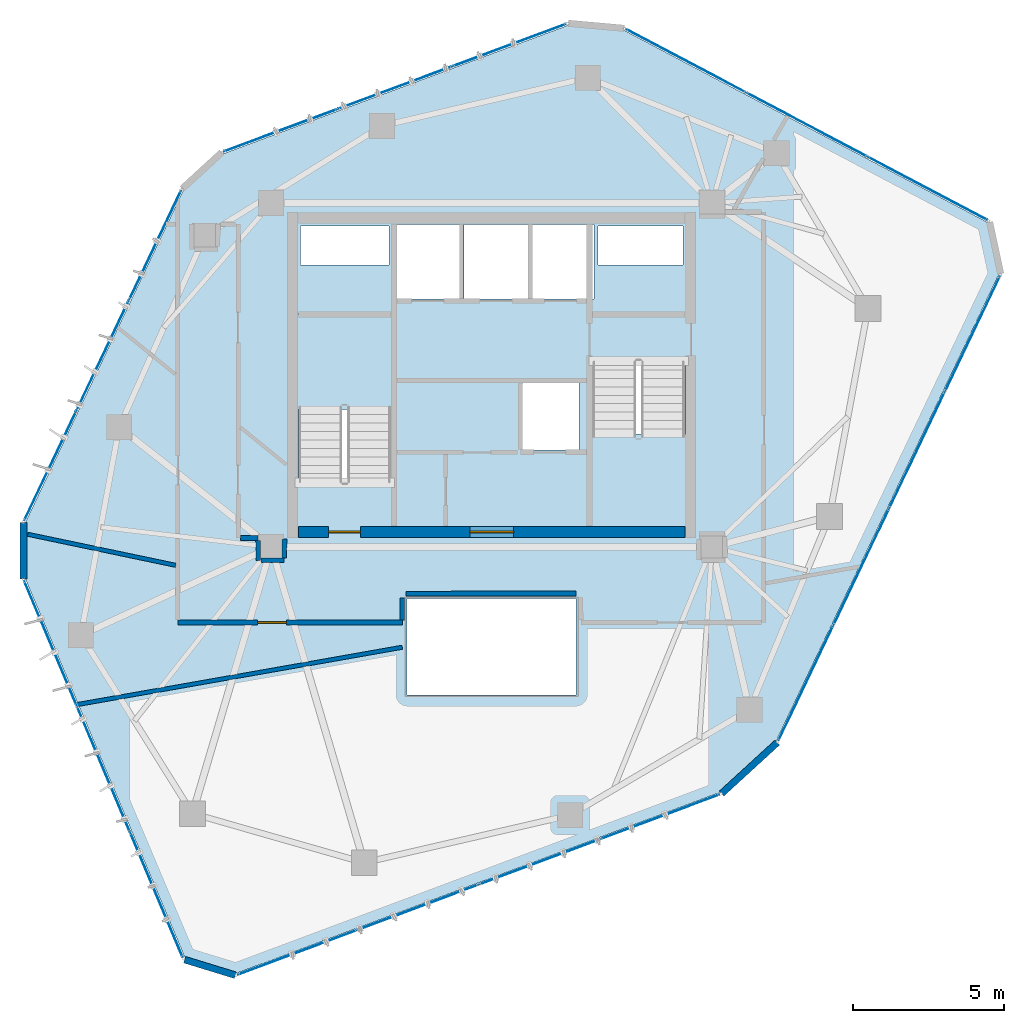
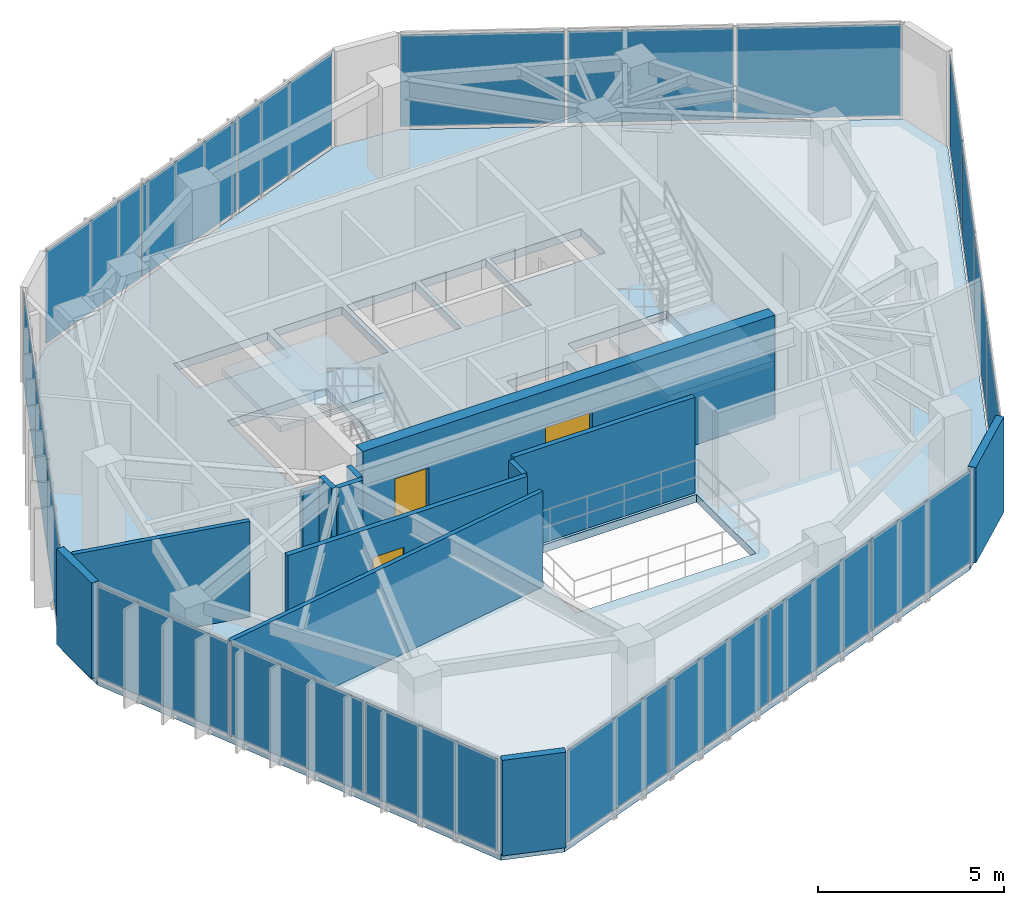
# One storey, part 16 of 20: 20 plates, 13 walls, 3 doors, 3 slabs, 3 openings, 8 elements without a shape of their own.
"""IFC4 building model written with IfcOpenShell, lengths in metres."""

from ifc_helpers import new_model, si_unit, direction, frame, frame_2d, origin, origin_2d, place, context, subcontext, project, spatial, polyline, rectangle, outline, extrude, source, transform, mapped, material, layer, layer_set, type_object, type_shapes, element, fill, aggregate, save


model = new_model("IFC4")

# Units and contexts
model_context = context("Model", 3, precision=1e-05, world=origin(), true_north=direction((0.0, 1.0)))
body_context = subcontext(model_context, "Body", "Model", "MODEL_VIEW")
ifc_project = project(units=[si_unit("LENGTHUNIT", "METRE"), si_unit("AREAUNIT", "SQUARE_METRE"), si_unit("VOLUMEUNIT", "CUBIC_METRE"), si_unit("PLANEANGLEUNIT", "RADIAN"), si_unit("MASSUNIT", "GRAM", prefix="KILO")], contexts=[model_context])

# Site, building, storey
site_placement = place(None, origin())
site = spatial("IfcSite", under=ifc_project, at=site_placement, CompositionType="ELEMENT")
building_placement = place(site_placement, origin())
building = spatial("IfcBuilding", under=site, at=building_placement, Name="Talar Marvaseh", CompositionType="ELEMENT")
storey_placement = place(building_placement, frame((0.0, 0.0, 281.60009765625)))
storey = spatial("IfcBuildingStorey", under=building, at=storey_placement, Name="L75", CompositionType="ELEMENT", Elevation=281.60009765625)

# Stair, slab
ifc_material_1 = material(Name="Concrete C40/50", Category="concrete")
stair_type = type_object("IfcStairType", Name="Reinforced Concrete High-Rise Exit Stair Type C", PredefinedType="HALF_TURN_STAIR", material=ifc_material_1)
stair_1_placement = place(storey_placement, origin())
stair_1 = element("IfcStair", 1, at=stair_1_placement, inside=storey, type_object=stair_type, Name="L75 Tower West Core Exit Stair", PredefinedType="HALF_TURN_STAIR")
ifc_layer_1 = layer(ifc_material_1, 0.199951171875)
ifc_layer_set_1 = layer_set([ifc_layer_1], Name="Concrete C40/50")
slab_type_1 = type_object("IfcSlabType", Name="Reinforced Concrete Stair Half-Landing Slab 200", PredefinedType="LANDING", material=ifc_layer_set_1)
slab_1_placement = place(storey_placement, frame((0.0, 0.0, 1.5)))
slab_1 = element("IfcSlab", 2, at=slab_1_placement, type_object=slab_type_1, Name="ST-1 landing 1", PredefinedType="LANDING", context=body_context, shape_type="SweptSolid", body=[
    extrude(outline(polyline([(22.780029296875, 30.050048828125), (22.780029296875, 33.219970703125), (19.47998046875, 33.219970703125), (19.47998046875, 30.050048828125), (22.780029296875, 30.050048828125)])), origin(), (0.0, 0.0, 1.0), 0.199951171875),
])
aggregate(stair_1, [slab_1])

stair_2_placement = place(storey_placement, origin())
stair_2 = element("IfcStair", 3, at=stair_2_placement, inside=storey, type_object=stair_type, Name="L75 Tower East Core Exit Stair", PredefinedType="HALF_TURN_STAIR")
slab_2_placement = place(storey_placement, frame((0.0, 0.0, 1.5)))
slab_2 = element("IfcSlab", 4, at=slab_2_placement, type_object=slab_type_1, Name="ST-2 landing 1", PredefinedType="LANDING", context=body_context, shape_type="SweptSolid", body=[
    extrude(outline(polyline([(29.219970703125, 29.25), (29.219970703125, 26.080078125), (32.52001953125, 26.080078125), (32.52001953125, 29.25), (29.219970703125, 29.25)])), origin(), (0.0, 0.0, 1.0), 0.199951171875),
])
aggregate(stair_2, [slab_2])

# Slab
ifc_layer_2 = layer(ifc_material_1, 0.260009765625)
ifc_layer_set_2 = layer_set([ifc_layer_2], Name="Concrete C40/50")
slab_type_2 = type_object("IfcSlabType", Name="Structural Suspended Floor Slab 260", PredefinedType="FLOOR", material=ifc_layer_set_2)
slab_3_placement = place(storey_placement, frame((0.0, 0.0, -0.260009765625)))
element("IfcSlab", 5, at=slab_3_placement, inside=storey, type_object=slab_type_2, Name="L75 Tower Floor Slab", PredefinedType="FLOOR", context=body_context, shape_type="SweptSolid", body=[
    extrude(outline(polyline([(17.522705078125, 11.367919921875), (15.84228515625, 11.8837890625), (10.548583984375, 24.448974609375), (10.54443359375, 26.305419921875), (15.7861328125, 37.32861328125), (17.09912109375, 38.531494140625), (28.537109375, 42.79248046875), (30.385986328125, 42.626708984375), (42.44189453125, 36.258056640625), (42.809814453125, 34.538818359375), (35.426025390625, 19.065185546875), (33.581298828125, 17.37451171875), (17.522705078125, 11.367919921875)]), holes=[polyline([(22.659912109375, 27.64990234375), (22.659912109375, 33.10009765625), (19.60009765625, 33.10009765625), (19.60009765625, 27.64990234375), (22.659912109375, 27.64990234375)]), polyline([(29.340087890625, 31.64990234375), (29.340087890625, 26.199951171875), (32.39990234375, 26.199951171875), (32.39990234375, 31.64990234375), (29.340087890625, 31.64990234375)]), polyline([(22.800048828125, 33.719970703125), (24.93994140625, 33.719970703125), (24.93994140625, 36.179931640625), (22.800048828125, 36.179931640625), (22.800048828125, 33.719970703125)]), polyline([(25.080078125, 33.719970703125), (27.219970703125, 33.719970703125), (27.219970703125, 36.179931640625), (25.080078125, 36.179931640625), (25.080078125, 33.719970703125)]), polyline([(27.360107421875, 33.719970703125), (29.39990234375, 33.719970703125), (29.39990234375, 36.179931640625), (27.360107421875, 36.179931640625), (27.360107421875, 33.719970703125)]), polyline([(27.02001953125, 28.719970703125), (28.89990234375, 28.719970703125), (28.89990234375, 30.93994140625), (27.02001953125, 30.93994140625), (27.02001953125, 28.719970703125)]), polyline([(19.659912109375, 34.840087890625), (22.60009765625, 34.840087890625), (22.60009765625, 36.139892578125), (19.659912109375, 36.139892578125), (19.659912109375, 34.840087890625)]), polyline([(29.52001953125, 34.840087890625), (32.340087890625, 34.840087890625), (32.340087890625, 36.139892578125), (29.52001953125, 36.139892578125), (29.52001953125, 34.840087890625)]), polyline([(23.199951171875, 20.60009765625), (28.800048828125, 20.60009765625), (28.800048828125, 23.800048828125), (23.199951171875, 23.800048828125), (23.199951171875, 20.60009765625)])]), origin(), (0.0, 0.0, 1.0), 0.260009765625),
])

# Curtain wall, plates
ifc_material_2 = material(Name="Architectural Aluminium", Category="aluminium")
ifc_layer_3 = layer(ifc_material_2, 0.179931640625)
ifc_layer_set_3 = layer_set([ifc_layer_3], Name="Architectural Aluminium")
curtain_wall_type = type_object("IfcCurtainWallType", Name="Unitised High-Wind Sky Curtain Wall Z4", PredefinedType="NOTDEFINED", material=ifc_layer_set_3)
curtain_wall_1_placement = place(storey_placement, origin())
curtain_wall_1 = element("IfcCurtainWall", 6, at=curtain_wall_1_placement, inside=storey, type_object=curtain_wall_type, Name="L75 Unitised High-Wind Sky Curtain Wall Z4", PredefinedType="NOTDEFINED")
ifc_material_3 = material(Name="Laminated Low-E Solar Glass", Category="glass")
ifc_layer_4 = layer(ifc_material_3, 0.028076171875)
ifc_layer_set_4 = layer_set([ifc_layer_4], Name="Laminated Low-E Solar Glass")
plate_type = type_object("IfcPlateType", Name="Double-Glazed Low-E Vision Curtain Panel 28", PredefinedType="CURTAIN_PANEL", material=ifc_layer_set_4)
shared_shape_1 = source(origin(), body_context, "Body", "SweptSolid", [
    extrude(rectangle(XDim=4.447509765625, YDim=0.028076171875, at=origin_2d()), origin(), (0.0, 0.0, 1.0), 3.010009765625),
])
plate_1_placement = place(storey_placement, frame((14.8984375, 13.9697265625, 0.06494140625), z_axis=(0.0, 0.0, 1.0), x_axis=(-0.388258310498, 0.921550586962, 0.0)))
plate_1 = element("IfcPlate", 7, at=plate_1_placement, type_object=plate_type, Name="CW-Z4 panel 1.1", PredefinedType="CURTAIN_PANEL", context=body_context, shape_type="MappedRepresentation", body=[
    mapped(shared_shape_1, transform((0.0, 0.0, 0.0), x_axis=(1.0, 0.0, 0.0), y_axis=(0.0, 1.0, 0.0), z_axis=(0.0, 0.0, 1.0), scale=1.0)),
])
plate_2_placement = place(storey_placement, frame((11.3818359375, 22.316650390625, 0.06494140625), z_axis=(0.0, 0.0, 1.0), x_axis=(-0.388258310498, 0.921550586962, 0.0)))
plate_2 = element("IfcPlate", 8, at=plate_2_placement, type_object=plate_type, Name="CW-Z4 panel 3.1", PredefinedType="CURTAIN_PANEL", context=body_context, shape_type="MappedRepresentation", body=[
    mapped(shared_shape_1, transform((0.0, 0.0, 0.0), x_axis=(1.0, 0.0, 0.0), y_axis=(0.0, 1.0, 0.0), z_axis=(0.0, 0.0, 1.0), scale=1.0)),
])
shared_shape_2 = source(origin(), body_context, "Body", "SweptSolid", [
    extrude(rectangle(XDim=4.47998046875, YDim=0.028076171875, at=origin_2d()), origin(), (0.0, 0.0, 1.0), 3.010009765625),
])
plate_3_placement = place(storey_placement, frame((13.14013671875, 18.14306640625, 0.06494140625), z_axis=(0.0, 0.0, 1.0), x_axis=(-0.388258310498, 0.921550586962, 0.0)))
plate_3 = element("IfcPlate", 9, at=plate_3_placement, type_object=plate_type, Name="CW-Z4 panel 2.1", PredefinedType="CURTAIN_PANEL", context=body_context, shape_type="MappedRepresentation", body=[
    mapped(shared_shape_2, transform((0.0, 0.0, 0.0), x_axis=(1.0, 0.0, 0.0), y_axis=(0.0, 1.0, 0.0), z_axis=(0.0, 0.0, 1.0), scale=1.0)),
])
aggregate(curtain_wall_1, [plate_1, plate_3, plate_2])

# Curtain wall, plate
curtain_wall_2_placement = place(storey_placement, origin())
curtain_wall_2 = element("IfcCurtainWall", 10, at=curtain_wall_2_placement, inside=storey, type_object=curtain_wall_type, Name="L75 Unitised High-Wind Sky Curtain Wall Z4", PredefinedType="NOTDEFINED")
plate_4_placement = place(storey_placement, frame((36.44189453125, 39.495361328125, 0.06494140625), z_axis=(0.0, 0.0, 1.0), x_axis=(0.884205557891, -0.467097989071, 0.0)))
plate_4 = element("IfcPlate", 11, at=plate_4_placement, type_object=plate_type, Name="CW-Z4 panel 2.1", PredefinedType="CURTAIN_PANEL", context=body_context, shape_type="MappedRepresentation", body=[
    mapped(shared_shape_2, transform((0.0, 0.0, 0.0), x_axis=(1.0, 0.0, 0.0), y_axis=(0.0, 1.0, 0.0), z_axis=(0.0, 0.0, 1.0), scale=1.0)),
])

# Curtain wall, plates
curtain_wall_3_placement = place(storey_placement, origin())
curtain_wall_3 = element("IfcCurtainWall", 12, at=curtain_wall_3_placement, inside=storey, type_object=curtain_wall_type, Name="L75 Unitised High-Wind Sky Curtain Wall Z4", PredefinedType="NOTDEFINED")
shared_shape_3 = source(origin(), body_context, "Body", "SweptSolid", [
    extrude(rectangle(XDim=3.97119140625, YDim=0.028076171875, at=origin_2d()), origin(), (0.0, 0.0, 1.0), 3.010009765625),
])
plate_5_placement = place(storey_placement, frame((11.370849609375, 28.18310546875, 0.06494140625), z_axis=(0.0, 0.0, 1.0), x_axis=(0.42943963378, 0.903095565784, 0.0)))
plate_5 = element("IfcPlate", 13, at=plate_5_placement, type_object=plate_type, Name="CW-Z4 panel 1.1", PredefinedType="CURTAIN_PANEL", context=body_context, shape_type="MappedRepresentation", body=[
    mapped(shared_shape_3, transform((0.0, 0.0, 0.0), x_axis=(1.0, 0.0, 0.0), y_axis=(0.0, 1.0, 0.0), z_axis=(0.0, 0.0, 1.0), scale=1.0)),
])
plate_6_placement = place(storey_placement, frame((14.851318359375, 35.50244140625, 0.06494140625), z_axis=(0.0, 0.0, 1.0), x_axis=(0.42943963378, 0.903095565784, 0.0)))
plate_6 = element("IfcPlate", 14, at=plate_6_placement, type_object=plate_type, Name="CW-Z4 panel 3.1", PredefinedType="CURTAIN_PANEL", context=body_context, shape_type="MappedRepresentation", body=[
    mapped(shared_shape_3, transform((0.0, 0.0, 0.0), x_axis=(1.0, 0.0, 0.0), y_axis=(0.0, 1.0, 0.0), z_axis=(0.0, 0.0, 1.0), scale=1.0)),
])

curtain_wall_4_placement = place(storey_placement, origin())
curtain_wall_4 = element("IfcCurtainWall", 15, at=curtain_wall_4_placement, inside=storey, type_object=curtain_wall_type, Name="L75 Unitised High-Wind Sky Curtain Wall Z4", PredefinedType="NOTDEFINED")
plate_7_placement = place(storey_placement, frame((18.999755859375, 39.3037109375, 0.06494140625), z_axis=(0.0, 0.0, 1.0), x_axis=(0.937087895549, 0.34909350612, 0.0)))
plate_7 = element("IfcPlate", 16, at=plate_7_placement, type_object=plate_type, Name="CW-Z4 panel 1.1", PredefinedType="CURTAIN_PANEL", context=body_context, shape_type="MappedRepresentation", body=[
    mapped(shared_shape_3, transform((0.0, 0.0, 0.0), x_axis=(1.0, 0.0, 0.0), y_axis=(0.0, 1.0, 0.0), z_axis=(0.0, 0.0, 1.0), scale=1.0)),
])
plate_8_placement = place(storey_placement, frame((26.594482421875, 42.133056640625, 0.06494140625), z_axis=(0.0, 0.0, 1.0), x_axis=(0.937087895549, 0.34909350612, 0.0)))
plate_8 = element("IfcPlate", 17, at=plate_8_placement, type_object=plate_type, Name="CW-Z4 panel 3.1", PredefinedType="CURTAIN_PANEL", context=body_context, shape_type="MappedRepresentation", body=[
    mapped(shared_shape_3, transform((0.0, 0.0, 0.0), x_axis=(1.0, 0.0, 0.0), y_axis=(0.0, 1.0, 0.0), z_axis=(0.0, 0.0, 1.0), scale=1.0)),
])

# Plate
shared_shape_4 = source(origin(), body_context, "Body", "SweptSolid", [
    extrude(rectangle(XDim=4.003662109375, YDim=0.028076171875, at=origin_2d()), origin(), (0.0, 0.0, 1.0), 3.010009765625),
])
plate_9_placement = place(storey_placement, frame((13.111083984375, 31.8427734375, 0.06494140625), z_axis=(0.0, 0.0, 1.0), x_axis=(0.42943963378, 0.903095565784, 0.0)))
plate_9 = element("IfcPlate", 18, at=plate_9_placement, type_object=plate_type, Name="CW-Z4 panel 2.1", PredefinedType="CURTAIN_PANEL", context=body_context, shape_type="MappedRepresentation", body=[
    mapped(shared_shape_4, transform((0.0, 0.0, 0.0), x_axis=(1.0, 0.0, 0.0), y_axis=(0.0, 1.0, 0.0), z_axis=(0.0, 0.0, 1.0), scale=1.0)),
])

aggregate(curtain_wall_3, [plate_5, plate_9, plate_6])

plate_10_placement = place(storey_placement, frame((22.797119140625, 40.71826171875, 0.06494140625), z_axis=(0.0, 0.0, 1.0), x_axis=(0.937087895549, 0.34909350612, 0.0)))
plate_10 = element("IfcPlate", 19, at=plate_10_placement, type_object=plate_type, Name="CW-Z4 panel 2.1", PredefinedType="CURTAIN_PANEL", context=body_context, shape_type="MappedRepresentation", body=[
    mapped(shared_shape_4, transform((0.0, 0.0, 0.0), x_axis=(1.0, 0.0, 0.0), y_axis=(0.0, 1.0, 0.0), z_axis=(0.0, 0.0, 1.0), scale=1.0)),
])

aggregate(curtain_wall_4, [plate_7, plate_10, plate_8])

# Curtain wall, plates
curtain_wall_5_placement = place(storey_placement, origin())
curtain_wall_5 = element("IfcCurtainWall", 20, at=curtain_wall_5_placement, inside=storey, type_object=curtain_wall_type, Name="L75 Unitised High-Wind Sky Curtain Wall Z4", PredefinedType="NOTDEFINED")
shared_shape_5 = source(origin(), body_context, "Body", "SweptSolid", [
    extrude(rectangle(XDim=4.188720703125, YDim=0.028076171875, at=origin_2d()), origin(), (0.0, 0.0, 1.0), 3.010009765625),
])
plate_11_placement = place(storey_placement, frame((41.933837890625, 32.564208984375, 0.06494140625), z_axis=(0.0, 0.0, 1.0), x_axis=(-0.430654764719, -0.902516744235, 0.0)))
plate_11 = element("IfcPlate", 21, at=plate_11_placement, type_object=plate_type, Name="CW-Z4 panel 1.1", PredefinedType="CURTAIN_PANEL", context=body_context, shape_type="MappedRepresentation", body=[
    mapped(shared_shape_5, transform((0.0, 0.0, 0.0), x_axis=(1.0, 0.0, 0.0), y_axis=(0.0, 1.0, 0.0), z_axis=(0.0, 0.0, 1.0), scale=1.0)),
])
plate_12_placement = place(storey_placement, frame((36.41015625, 20.98828125, 0.06494140625), z_axis=(0.0, 0.0, 1.0), x_axis=(-0.430654764719, -0.902516744235, 0.0)))
plate_12 = element("IfcPlate", 22, at=plate_12_placement, type_object=plate_type, Name="CW-Z4 panel 4.1", PredefinedType="CURTAIN_PANEL", context=body_context, shape_type="MappedRepresentation", body=[
    mapped(shared_shape_5, transform((0.0, 0.0, 0.0), x_axis=(1.0, 0.0, 0.0), y_axis=(0.0, 1.0, 0.0), z_axis=(0.0, 0.0, 1.0), scale=1.0)),
])

curtain_wall_6_placement = place(storey_placement, origin())
curtain_wall_6 = element("IfcCurtainWall", 23, at=curtain_wall_6_placement, inside=storey, type_object=curtain_wall_type, Name="L75 Unitised High-Wind Sky Curtain Wall Z4", PredefinedType="NOTDEFINED")
plate_13_placement = place(storey_placement, frame((31.57958984375, 16.561767578125, 0.06494140625), z_axis=(0.0, 0.0, 1.0), x_axis=(-0.93661841065, -0.350351185001, 0.0)))
plate_13 = element("IfcPlate", 24, at=plate_13_placement, type_object=plate_type, Name="CW-Z4 panel 1.1", PredefinedType="CURTAIN_PANEL", context=body_context, shape_type="MappedRepresentation", body=[
    mapped(shared_shape_5, transform((0.0, 0.0, 0.0), x_axis=(1.0, 0.0, 0.0), y_axis=(0.0, 1.0, 0.0), z_axis=(0.0, 0.0, 1.0), scale=1.0)),
])
plate_14_placement = place(storey_placement, frame((19.56640625, 12.068115234375, 0.06494140625), z_axis=(0.0, 0.0, 1.0), x_axis=(-0.93661841065, -0.350351185001, 0.0)))
plate_14 = element("IfcPlate", 25, at=plate_14_placement, type_object=plate_type, Name="CW-Z4 panel 4.1", PredefinedType="CURTAIN_PANEL", context=body_context, shape_type="MappedRepresentation", body=[
    mapped(shared_shape_5, transform((0.0, 0.0, 0.0), x_axis=(1.0, 0.0, 0.0), y_axis=(0.0, 1.0, 0.0), z_axis=(0.0, 0.0, 1.0), scale=1.0)),
])

# Plate
shared_shape_6 = source(origin(), body_context, "Body", "SweptSolid", [
    extrude(rectangle(XDim=4.22119140625, YDim=0.028076171875, at=origin_2d()), origin(), (0.0, 0.0, 1.0), 3.010009765625),
])
plate_15_placement = place(storey_placement, frame((40.094970703125, 28.71044921875, 0.06494140625), z_axis=(0.0, 0.0, 1.0), x_axis=(-0.430654764719, -0.902516744235, 0.0)))
plate_15 = element("IfcPlate", 26, at=plate_15_placement, type_object=plate_type, Name="CW-Z4 panel 2.1", PredefinedType="CURTAIN_PANEL", context=body_context, shape_type="MappedRepresentation", body=[
    mapped(shared_shape_6, transform((0.0, 0.0, 0.0), x_axis=(1.0, 0.0, 0.0), y_axis=(0.0, 1.0, 0.0), z_axis=(0.0, 0.0, 1.0), scale=1.0)),
])

plate_16_placement = place(storey_placement, frame((38.249267578125, 24.842041015625, 0.06494140625), z_axis=(0.0, 0.0, 1.0), x_axis=(-0.430654764719, -0.902516744235, 0.0)))
plate_16 = element("IfcPlate", 27, at=plate_16_placement, type_object=plate_type, Name="CW-Z4 panel 3.1", PredefinedType="CURTAIN_PANEL", context=body_context, shape_type="MappedRepresentation", body=[
    mapped(shared_shape_6, transform((0.0, 0.0, 0.0), x_axis=(1.0, 0.0, 0.0), y_axis=(0.0, 1.0, 0.0), z_axis=(0.0, 0.0, 1.0), scale=1.0)),
])

aggregate(curtain_wall_5, [plate_11, plate_15, plate_16, plate_12])

plate_17_placement = place(storey_placement, frame((27.580322265625, 15.06591796875, 0.06494140625), z_axis=(0.0, 0.0, 1.0), x_axis=(-0.93661841065, -0.350351185001, 0.0)))
plate_17 = element("IfcPlate", 28, at=plate_17_placement, type_object=plate_type, Name="CW-Z4 panel 2.1", PredefinedType="CURTAIN_PANEL", context=body_context, shape_type="MappedRepresentation", body=[
    mapped(shared_shape_6, transform((0.0, 0.0, 0.0), x_axis=(1.0, 0.0, 0.0), y_axis=(0.0, 1.0, 0.0), z_axis=(0.0, 0.0, 1.0), scale=1.0)),
])

plate_18_placement = place(storey_placement, frame((23.565673828125, 13.564208984375, 0.06494140625), z_axis=(0.0, 0.0, 1.0), x_axis=(-0.93661841065, -0.350351185001, 0.0)))
plate_18 = element("IfcPlate", 29, at=plate_18_placement, type_object=plate_type, Name="CW-Z4 panel 3.1", PredefinedType="CURTAIN_PANEL", context=body_context, shape_type="MappedRepresentation", body=[
    mapped(shared_shape_6, transform((0.0, 0.0, 0.0), x_axis=(1.0, 0.0, 0.0), y_axis=(0.0, 1.0, 0.0), z_axis=(0.0, 0.0, 1.0), scale=1.0)),
])

aggregate(curtain_wall_6, [plate_13, plate_17, plate_18, plate_14])

shared_shape_7 = source(origin(), body_context, "Body", "SweptSolid", [
    extrude(rectangle(XDim=4.447265625, YDim=0.028076171875, at=origin_2d()), origin(), (0.0, 0.0, 1.0), 3.010009765625),
])
type_shapes(plate_type, [shared_shape_1, shared_shape_2, shared_shape_3, shared_shape_4, shared_shape_5, shared_shape_6, shared_shape_7])
plate_19_placement = place(storey_placement, frame((32.437744140625, 41.61083984375, 0.06494140625), z_axis=(0.0, 0.0, 1.0), x_axis=(0.884205557891, -0.467097989071, 0.0)))
plate_19 = element("IfcPlate", 30, at=plate_19_placement, type_object=plate_type, Name="CW-Z4 panel 1.1", PredefinedType="CURTAIN_PANEL", context=body_context, shape_type="MappedRepresentation", body=[
    mapped(shared_shape_7, transform((0.0, 0.0, 0.0), x_axis=(1.0, 0.0, 0.0), y_axis=(0.0, 1.0, 0.0), z_axis=(0.0, 0.0, 1.0), scale=1.0)),
])

plate_20_placement = place(storey_placement, frame((40.4462890625, 37.380126953125, 0.06494140625), z_axis=(0.0, 0.0, 1.0), x_axis=(0.884205557891, -0.467097989071, 0.0)))
plate_20 = element("IfcPlate", 31, at=plate_20_placement, type_object=plate_type, Name="CW-Z4 panel 3.1", PredefinedType="CURTAIN_PANEL", context=body_context, shape_type="MappedRepresentation", body=[
    mapped(shared_shape_7, transform((0.0, 0.0, 0.0), x_axis=(1.0, 0.0, 0.0), y_axis=(0.0, 1.0, 0.0), z_axis=(0.0, 0.0, 1.0), scale=1.0)),
])

aggregate(curtain_wall_2, [plate_19, plate_4, plate_20])

# Walls
ifc_material_4 = material(Name="Precast concrete C45/55", Category="concrete")
ifc_layer_5 = layer(ifc_material_4, 0.22509765625)
ifc_layer_set_5 = layer_set([ifc_layer_5], Name="Precast concrete C45/55")
wall_type_1 = type_object("IfcWallType", Name="Chamfered Hexagonal Corner Pier Wall Z4 225", PredefinedType="SOLIDWALL", material=ifc_layer_set_5)
wall_1_placement = place(storey_placement, frame((17.505126953125, 11.310302734375, 0.0), z_axis=(0.0, 0.0, 1.0), x_axis=(-0.955929027524, 0.293597844572, 0.0)))
element("IfcWall", 32, at=wall_1_placement, inside=storey, type_object=wall_type_1, Name="L75 Chamfered Corner Limestone Pier 1", PredefinedType="SOLIDWALL", context=body_context, shape_type="SweptSolid", body=[
    extrude(rectangle(XDim=1.7578125, YDim=0.22509765625, at=frame_2d((0.87890625, 0.0))), origin(), (0.0, 0.0, 1.0), 3.139892578125),
])
wall_2_placement = place(storey_placement, frame((10.488525390625, 24.448974609375, 0.0), z_axis=(0.0, 0.0, 1.0), x_axis=(-0.002104151049, 0.999997786272, 0.0)))
element("IfcWall", 33, at=wall_2_placement, inside=storey, type_object=wall_type_1, Name="L75 Chamfered Corner Limestone Pier 2", PredefinedType="SOLIDWALL", context=body_context, shape_type="SweptSolid", body=[
    extrude(rectangle(XDim=1.8564453125, YDim=0.22509765625, at=frame_2d((0.92822265625, 0.0))), origin(), (0.0, 0.0, 1.0), 3.139892578125),
])
wall_3_placement = place(storey_placement, frame((35.466552734375, 19.02099609375, 0.0), z_axis=(0.0, 0.0, 1.0), x_axis=(-0.737263471759, -0.675605338352, 0.0)))
element("IfcWall", 34, at=wall_3_placement, inside=storey, type_object=wall_type_1, Name="L75 Chamfered Corner Limestone Pier 6", PredefinedType="SOLIDWALL", context=body_context, shape_type="SweptSolid", body=[
    extrude(rectangle(XDim=2.50244140625, YDim=0.22509765625, at=frame_2d((1.251220703125, 0.0))), origin(), (0.0, 0.0, 1.0), 3.139892578125),
])

# Wall, opening, door
ifc_material_5 = material(Name="Gypsum Board Partition Assembly")
ifc_layer_6 = layer(ifc_material_5, 0.155029296875)
ifc_layer_set_6 = layer_set([ifc_layer_6], Name="Gypsum Board Partition Assembly")
wall_type_2 = type_object("IfcWallType", Name="Corridor Fire-Rated Acoustic Partition 155", PredefinedType="PARTITIONING", material=ifc_layer_set_6)
wall_4_placement = place(storey_placement, frame((23.0400390625, 23.0, 0.0), z_axis=(0.0, 0.0, 1.0), x_axis=(-1.0, 0.0, 0.0)))
wall_4 = element("IfcWall", 35, at=wall_4_placement, inside=storey, type_object=wall_type_2, Name="L75 Interior Partition Wall", PredefinedType="PARTITIONING", context=body_context, shape_type="SweptSolid", body=[
    extrude(rectangle(XDim=7.43994140625, YDim=0.155029296875, at=frame_2d((3.719970703125, 0.0))), origin(), (0.0, 0.0, 1.0), 3.139892578125),
])
opening_1_placement = place(wall_4_placement, frame((3.840087890625, 0.0, 0.0)))
opening_1 = element("IfcOpeningElement", 36, at=opening_1_placement, cuts=wall_4, Name="Opening DR-WC095", PredefinedType="OPENING", context=body_context, shape_type="SweptSolid", body=[
    extrude(rectangle(XDim=0.949951171875, YDim=2.14990234375, at=frame_2d((0.47509765625, 1.074951171875))), frame((0.0, 0.08740234375, 0.0), z_axis=(0.0, -1.0, 0.0), x_axis=(1.0, 0.0, 0.0)), (0.0, 0.0, 1.0), 0.175048828125),
])
ifc_material_6 = material(Name="Acoustic Engineered Oak Timber", Category="wood")
door_type_1 = type_object("IfcDoorType", Name="Washroom and Service Room Door 950x2150", OperationType="NOTDEFINED", PredefinedType="DOOR", material=ifc_material_6)
shared_shape_8 = source(origin(), body_context, "Body", "SweptSolid", [
    extrude(rectangle(XDim=0.949951171875, YDim=2.14990234375, at=frame_2d((0.47509765625, 1.074951171875))), frame((0.0, 0.02490234375, 0.0), z_axis=(0.0, -1.0, 0.0), x_axis=(1.0, 0.0, 0.0)), (0.0, 0.0, 1.0), 0.050048828125),
])
type_shapes(door_type_1, [shared_shape_8])
door_1_placement = place(opening_1_placement, origin())
door_1 = element("IfcDoor", 37, at=door_1_placement, inside=storey, type_object=door_type_1, Name="L75 Rare Books Archive Room Door", OperationType="SINGLE_SWING_LEFT", OverallHeight=2.14990234375, OverallWidth=0.949951171875, PredefinedType="DOOR", context=body_context, shape_type="MappedRepresentation", body=[
    mapped(shared_shape_8, transform((0.0, 0.0, 0.0), x_axis=(1.0, 0.0, 0.0), y_axis=(0.0, 1.0, 0.0), z_axis=(0.0, 0.0, 1.0), scale=1.0)),
])
fill(opening_1, door_1)

# Walls
wall_5_placement = place(storey_placement, frame((17.68359375, 25.800048828125, 0.0), z_axis=(0.0, 0.0, 1.0), x_axis=(1.0, 0.0, 0.0)))
element("IfcWall", 38, at=wall_5_placement, inside=storey, type_object=wall_type_2, Name="L75 Interior Partition Wall", PredefinedType="PARTITIONING", context=body_context, shape_type="SweptSolid", body=[
    extrude(rectangle(XDim=0.576416015625, YDim=0.155029296875, at=frame_2d((0.2880859375, 0.0))), origin(), (0.0, 0.0, 1.0), 2.802001953125),
])
wall_6_placement = place(storey_placement, frame((18.260986328125, 25.716552734375, 0.0), z_axis=(0.0, 0.0, 1.0), x_axis=(0.010439401276, -0.999945507966, 0.0)))
element("IfcWall", 39, at=wall_6_placement, inside=storey, type_object=wall_type_2, Name="L75 Interior Partition Wall", PredefinedType="PARTITIONING", context=body_context, shape_type="SweptSolid", body=[
    extrude(rectangle(XDim=0.65478515625, YDim=0.155029296875, at=frame_2d((0.327392578125, 0.0))), origin(), (0.0, 0.0, 1.0), 3.139892578125),
])
wall_7_placement = place(storey_placement, frame((18.351318359375, 25.0615234375, 0.0), z_axis=(0.0, 0.0, 1.0), x_axis=(0.999998207633, -0.001893338355, 0.0)))
element("IfcWall", 40, at=wall_7_placement, inside=storey, type_object=wall_type_2, Name="L75 Interior Partition Wall", PredefinedType="PARTITIONING", context=body_context, shape_type="SweptSolid", body=[
    extrude(rectangle(XDim=0.773681640625, YDim=0.155029296875, at=frame_2d((0.38671875, 0.0))), origin(), (0.0, 0.0, 1.0), 3.139892578125),
])
wall_8_placement = place(storey_placement, frame((19.126708984375, 25.1435546875, 0.0), z_axis=(0.0, 0.0, 1.0), x_axis=(0.021238324089, 0.999774441357, 0.0)))
element("IfcWall", 41, at=wall_8_placement, inside=storey, type_object=wall_type_2, Name="L75 Interior Partition Wall", PredefinedType="PARTITIONING", context=body_context, shape_type="SweptSolid", body=[
    extrude(rectangle(XDim=0.620849609375, YDim=0.155029296875, at=frame_2d((0.310546875, 0.0))), origin(), (0.0, 0.0, 1.0), 3.139892578125),
])
wall_9_placement = place(storey_placement, frame((28.800048828125, 23.9599609375, 0.0), z_axis=(0.0, 0.0, 1.0), x_axis=(-0.999999841177, -0.000563600015, 0.0)))
element("IfcWall", 42, at=wall_9_placement, inside=storey, type_object=wall_type_2, Name="L75 Interior Partition Wall", PredefinedType="PARTITIONING", context=body_context, shape_type="SweptSolid", body=[
    extrude(rectangle(XDim=5.63134765625, YDim=0.155029296875, at=frame_2d((2.815673828125, 0.0))), origin(), (0.0, 0.0, 1.0), 3.139892578125),
])
wall_10_placement = place(storey_placement, frame((23.040771484375, 23.815673828125, 0.0), z_axis=(0.0, 0.0, 1.0), x_axis=(-0.001000332944, -0.999999499667, 0.0)))
element("IfcWall", 43, at=wall_10_placement, inside=storey, type_object=wall_type_2, Name="L75 Interior Partition Wall", PredefinedType="PARTITIONING", context=body_context, shape_type="SweptSolid", body=[
    extrude(rectangle(XDim=0.732177734375, YDim=0.155029296875, at=frame_2d((0.3662109375, 0.0))), origin(), (0.0, 0.0, 1.0), 3.139892578125),
])
ifc_layer_7 = layer(ifc_material_5, 0.135009765625)
ifc_layer_set_7 = layer_set([ifc_layer_7], Name="Gypsum Board Partition Assembly")
wall_type_3 = type_object("IfcWallType", Name="Gallery High-Acoustic Partition 135", PredefinedType="PARTITIONING", material=ifc_layer_set_7)
wall_11_placement = place(storey_placement, frame((23.0400390625, 22.179931640625, 0.0), z_axis=(0.0, 0.0, 1.0), x_axis=(-0.984792319501, -0.173735682726, 0.0)))
element("IfcWall", 44, at=wall_11_placement, inside=storey, type_object=wall_type_3, Name="L75 Interior Partition Wall", PredefinedType="PARTITIONING", context=body_context, shape_type="SweptSolid", body=[
    extrude(rectangle(XDim=10.939697265625, YDim=0.135009765625, at=frame_2d((5.4697265625, 0.0))), origin(), (0.0, 0.0, 1.0), 3.139892578125),
])
wall_12_placement = place(storey_placement, frame((10.632080078125, 25.922119140625, 0.0), z_axis=(0.0, 0.0, 1.0), x_axis=(0.978697374519, -0.205308180816, 0.0)))
element("IfcWall", 45, at=wall_12_placement, inside=storey, type_object=wall_type_3, Name="L75 Interior Partition Wall", PredefinedType="PARTITIONING", context=body_context, shape_type="SweptSolid", body=[
    extrude(rectangle(XDim=5.010986328125, YDim=0.135009765625, at=frame_2d((2.50537109375, 0.0))), origin(), (0.0, 0.0, 1.0), 3.139892578125),
])

# Wall, openings, doors
ifc_material_7 = material(Name="Concrete C50/60", Category="concrete")
ifc_layer_8 = layer(ifc_material_7, 0.360107421875)
ifc_layer_set_8 = layer_set([ifc_layer_8], Name="Concrete C50/60")
wall_type_4 = type_object("IfcWallType", Name="Upper Core Reinforced Concrete Shear Wall 360", PredefinedType="SHEAR", material=ifc_layer_set_8)
wall_13_placement = place(storey_placement, frame((32.39990234375, 26.0, 0.0), z_axis=(0.0, 0.0, 1.0), x_axis=(-1.0, 0.0, 0.0)))
wall_13 = element("IfcWall", 46, at=wall_13_placement, inside=storey, type_object=wall_type_4, Name="L75 South Core Shear Wall", PredefinedType="SHEAR", context=body_context, shape_type="SweptSolid", body=[
    extrude(rectangle(XDim=12.7998046875, YDim=0.360107421875, at=frame_2d((6.39990234375, 0.0))), origin(), (0.0, 0.0, 1.0), 3.39990234375),
])
opening_2_placement = place(wall_13_placement, frame((10.75, 0.0, 0.0)))
opening_2 = element("IfcOpeningElement", 47, at=opening_2_placement, cuts=wall_13, Name="Opening DR-ST105", PredefinedType="OPENING", context=body_context, shape_type="SweptSolid", body=[
    extrude(rectangle(XDim=1.050048828125, YDim=2.14990234375, at=frame_2d((0.52490234375, 1.074951171875))), frame((0.0, 0.18994140625, 0.0), z_axis=(0.0, -1.0, 0.0), x_axis=(1.0, 0.0, 0.0)), (0.0, 0.0, 1.0), 0.380126953125),
])
opening_3_placement = place(wall_13_placement, frame((5.669921875, 0.0, 0.0)))
opening_3 = element("IfcOpeningElement", 48, at=opening_3_placement, cuts=wall_13, Name="Opening DR-LBY145", PredefinedType="OPENING", context=body_context, shape_type="SweptSolid", body=[
    extrude(rectangle(XDim=1.449951171875, YDim=2.199951171875, at=frame_2d((0.72509765625, 1.10009765625))), frame((0.0, 0.18994140625, 0.0), z_axis=(0.0, -1.0, 0.0), x_axis=(1.0, 0.0, 0.0)), (0.0, 0.0, 1.0), 0.380126953125),
])
ifc_material_8 = material(Name="Fire-Rated Steel Door Leaf", Category="steel")
door_type_2 = type_object("IfcDoorType", Name="Protected Exit Stair Fire Door 1050x2150", OperationType="NOTDEFINED", PredefinedType="DOOR", material=ifc_material_8)
shared_shape_9 = source(origin(), body_context, "Body", "SweptSolid", [
    extrude(rectangle(XDim=1.050048828125, YDim=2.14990234375, at=frame_2d((0.52490234375, 1.074951171875))), frame((0.0, 0.02490234375, 0.0), z_axis=(0.0, -1.0, 0.0), x_axis=(1.0, 0.0, 0.0)), (0.0, 0.0, 1.0), 0.050048828125),
])
type_shapes(door_type_2, [shared_shape_9])
door_2_placement = place(opening_2_placement, origin())
door_2 = element("IfcDoor", 49, at=door_2_placement, inside=storey, type_object=door_type_2, Name="L75 Stair ST-1 Exit Door", OperationType="SINGLE_SWING_RIGHT", OverallHeight=2.14990234375, OverallWidth=1.050048828125, PredefinedType="DOOR", context=body_context, shape_type="MappedRepresentation", body=[
    mapped(shared_shape_9, transform((0.0, 0.0, 0.0), x_axis=(1.0, 0.0, 0.0), y_axis=(0.0, 1.0, 0.0), z_axis=(0.0, 0.0, 1.0), scale=1.0)),
])
fill(opening_2, door_2)
door_type_3 = type_object("IfcDoorType", Name="Core Lift Lobby Double Smoke Door 1450x2200", OperationType="NOTDEFINED", PredefinedType="DOOR", material=ifc_material_8)
shared_shape_10 = source(origin(), body_context, "Body", "SweptSolid", [
    extrude(rectangle(XDim=1.449951171875, YDim=2.199951171875, at=frame_2d((0.72509765625, 1.10009765625))), frame((0.0, 0.02490234375, 0.0), z_axis=(0.0, -1.0, 0.0), x_axis=(1.0, 0.0, 0.0)), (0.0, 0.0, 1.0), 0.050048828125),
])
type_shapes(door_type_3, [shared_shape_10])
door_3_placement = place(opening_3_placement, origin())
door_3 = element("IfcDoor", 50, at=door_3_placement, inside=storey, type_object=door_type_3, Name="L75 Passenger Lift Lobby Entrance Door", OperationType="DOUBLE_DOOR_SINGLE_SWING", OverallHeight=2.199951171875, OverallWidth=1.449951171875, PredefinedType="DOOR", context=body_context, shape_type="MappedRepresentation", body=[
    mapped(shared_shape_10, transform((0.0, 0.0, 0.0), x_axis=(1.0, 0.0, 0.0), y_axis=(0.0, 1.0, 0.0), z_axis=(0.0, 0.0, 1.0), scale=1.0)),
])
fill(opening_3, door_3)

save(model, "model.ifc")
